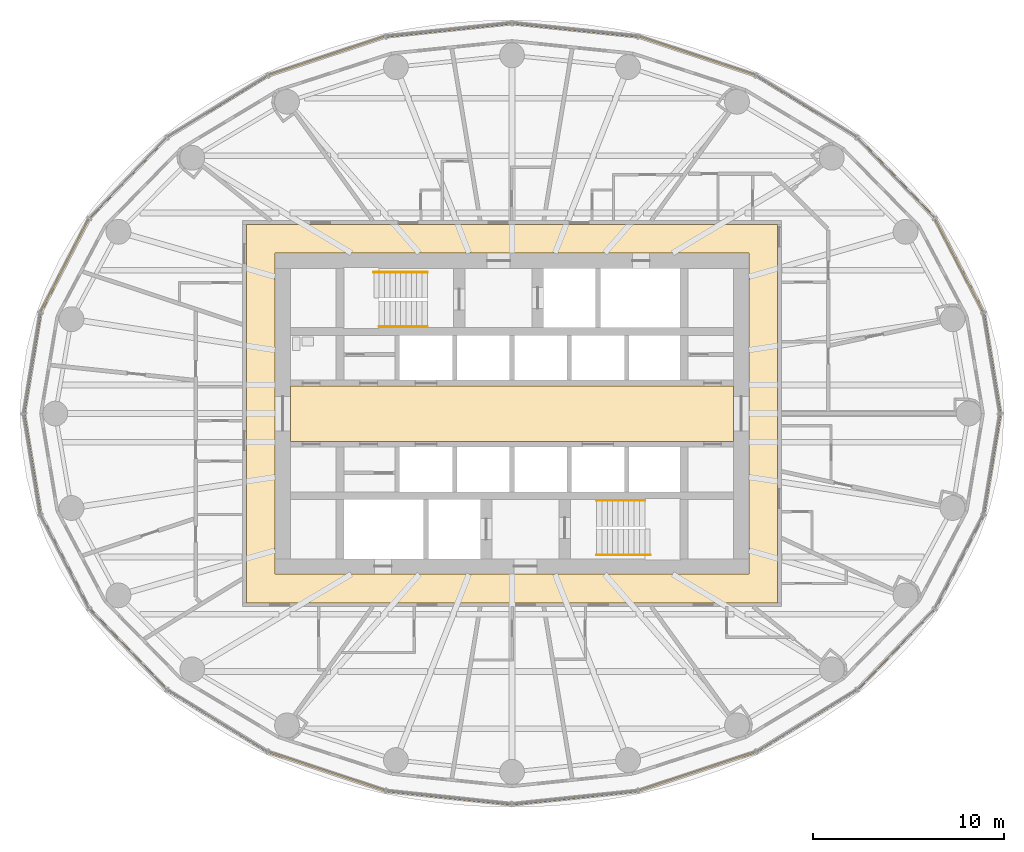
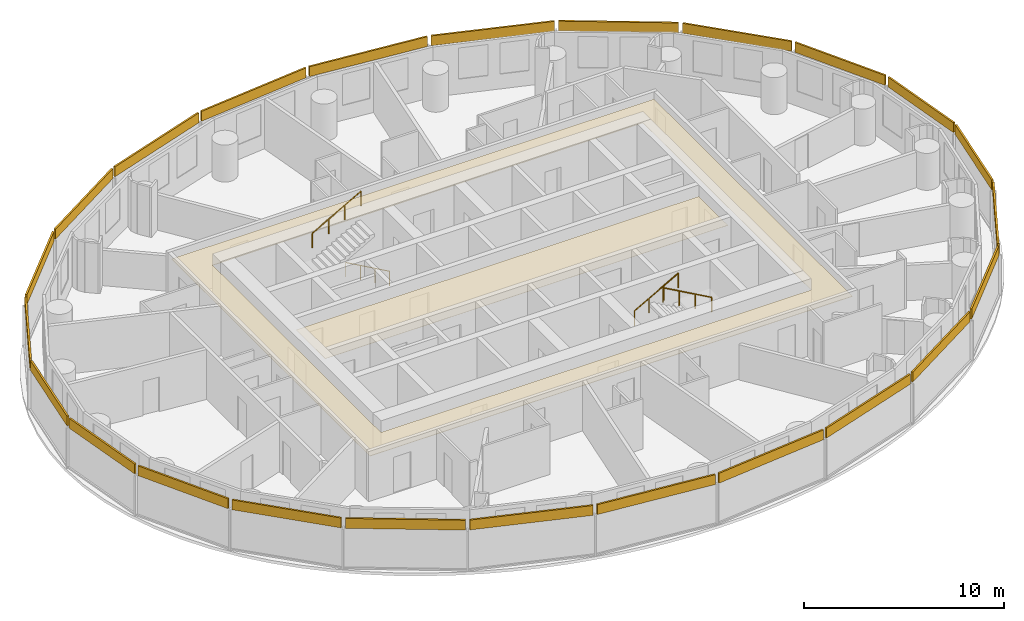
# One storey, part 13 of 14: 24 shading devices, 4 railings, 2 coverings.
"""IFC4 building model written with IfcOpenShell, lengths in metres."""

from ifc_helpers import new_model, si_unit, direction, frame, origin, origin_2d, place, context, subcontext, project, spatial, polyline, rectangle, circle, outline, extrude, material, layer, layer_set, type_object, element, save


model = new_model("IFC4")

# Units and contexts
model_context = context("Model", 3, precision=1e-05, world=origin(), true_north=direction((0.0, 1.0)))
body_context = subcontext(model_context, "Body", "Model", "MODEL_VIEW")
ifc_project = project(units=[si_unit("LENGTHUNIT", "METRE"), si_unit("AREAUNIT", "SQUARE_METRE"), si_unit("VOLUMEUNIT", "CUBIC_METRE"), si_unit("PLANEANGLEUNIT", "RADIAN"), si_unit("MASSUNIT", "GRAM", prefix="KILO")], contexts=[model_context])

# Site, building, storey
site_placement = place(None, origin())
site = spatial("IfcSite", under=ifc_project, at=site_placement, CompositionType="ELEMENT")
building_placement = place(site_placement, origin())
building = spatial("IfcBuilding", under=site, at=building_placement, Name="Hankou Lantern Tower", CompositionType="ELEMENT")
storey_placement = place(building_placement, frame((0.0, 0.0, 135.300048828125)))
storey = spatial("IfcBuildingStorey", under=building, at=storey_placement, Name="L35", CompositionType="ELEMENT", Elevation=135.300048828125)

# Coverings
ifc_material_1 = material(Name="Black painted aluminium linear ceiling panels", Category="aluminium")
ifc_layer_1 = layer(ifc_material_1, 0.02490234375)
ifc_layer_set_1 = layer_set([ifc_layer_1], Name="Black painted aluminium linear ceiling panels")
covering_type_1 = type_object("IfcCoveringType", Name="CL1 CORRIDOR CEILING 25", PredefinedType="CEILING", material=ifc_layer_set_1)
covering_1_placement = place(storey_placement, frame((0.0, 0.0, 2.574951171875)))
element("IfcCovering", 1, at=covering_1_placement, inside=storey, type_object=covering_type_1, Name="Corridor ceiling L35", PredefinedType="CEILING", context=body_context, shape_type="SweptSolid", body=[
    extrude(outline(polyline([(-13.89990234375, -9.89990234375), (13.89990234375, -9.89990234375), (13.89990234375, 9.89990234375), (-13.89990234375, 9.89990234375), (-13.89990234375, -9.89990234375)]), holes=[polyline([(-12.39990234375, 8.39990234375), (12.39990234375, 8.39990234375), (12.39990234375, -8.39990234375), (-12.39990234375, -8.39990234375), (-12.39990234375, 8.39990234375)])]), origin(), (0.0, 0.0, 1.0), 0.02490234375),
])
ifc_material_2 = material(Name="Perforated black aluminium acoustic tray ceiling", Category="aluminium")
ifc_layer_2 = layer(ifc_material_2, 0.014892578125)
ifc_layer_set_2 = layer_set([ifc_layer_2], Name="Perforated black aluminium acoustic tray ceiling")
covering_type_2 = type_object("IfcCoveringType", Name="CL2 LIFT LOBBY CEILING 15", PredefinedType="CEILING", material=ifc_layer_set_2)
covering_2_placement = place(storey_placement, frame((0.0, 0.0, 2.5849609375)))
element("IfcCovering", 2, at=covering_2_placement, inside=storey, type_object=covering_type_2, Name="Lift lobby ceiling L35", PredefinedType="CEILING", context=body_context, shape_type="SweptSolid", body=[
    extrude(outline(polyline([(-11.60009765625, -1.449951171875), (11.60009765625, -1.449951171875), (11.60009765625, 1.449951171875), (-11.60009765625, 1.449951171875), (-11.60009765625, -1.449951171875)])), origin(), (0.0, 0.0, 1.0), 0.014892578125),
])

# Railings
ifc_material_3 = material(Name="Steel handrail", Category="steel")
railing_type = type_object("IfcRailingType", Name="HR1 STAIR HANDRAIL", PredefinedType="HANDRAIL", material=ifc_material_3)
railing_1_placement = place(storey_placement, frame((-4.429931640625, 4.550048828125, 0.89990234375)))
element("IfcRailing", 3, at=railing_1_placement, inside=storey, type_object=railing_type, Name="Handrail stair STA L35 flight 1", PredefinedType="HANDRAIL", context=body_context, shape_type="SweptSolid", body=[
    extrude(circle(Radius=0.02392578125, at=origin_2d()), frame((0.0, 0.0, 0.8759765625), z_axis=(-0.872048945198, 0.0, 0.489418672692), x_axis=(0.0, -1.0, 0.0)), (0.0, 0.0, 1.0), 2.8896484375),
    extrude(circle(Radius=0.02099609375, at=origin_2d()), origin(), (0.0, 0.0, 1.0), 0.851806640625),
    extrude(circle(Radius=0.02099609375, at=origin_2d()), frame((-0.840087890625, 0.0, 0.471435546875)), (0.0, 0.0, 1.0), 0.851806640625),
    extrude(circle(Radius=0.02099609375, at=origin_2d()), frame((-1.679931640625, 0.0, 0.94287109375)), (0.0, 0.0, 1.0), 0.851806640625),
    extrude(circle(Radius=0.02099609375, at=origin_2d()), frame((-2.52001953125, 0.0, 1.414306640625)), (0.0, 0.0, 1.0), 0.851806640625),
])
railing_2_placement = place(storey_placement, frame((-7.22998046875, 7.39990234375, 2.471435546875)))
element("IfcRailing", 4, at=railing_2_placement, inside=storey, type_object=railing_type, Name="Handrail stair STA L35 flight 2", PredefinedType="HANDRAIL", context=body_context, shape_type="SweptSolid", body=[
    extrude(circle(Radius=0.02392578125, at=origin_2d()), frame((0.0, 0.0, 0.8759765625), z_axis=(0.872072602893, 0.0, 0.489376516891), x_axis=(0.0, 1.0, 0.0)), (0.0, 0.0, 1.0), 3.210693359375),
    extrude(circle(Radius=0.02099609375, at=origin_2d()), origin(), (0.0, 0.0, 1.0), 0.851806640625),
    extrude(circle(Radius=0.02099609375, at=origin_2d()), frame((0.933349609375, 0.0, 0.523681640625)), (0.0, 0.0, 1.0), 0.851806640625),
    extrude(circle(Radius=0.02099609375, at=origin_2d()), frame((1.86669921875, 0.0, 1.047607421875)), (0.0, 0.0, 1.0), 0.851806640625),
    extrude(circle(Radius=0.02099609375, at=origin_2d()), frame((2.800048828125, 0.0, 1.5712890625)), (0.0, 0.0, 1.0), 0.851806640625),
])
railing_3_placement = place(storey_placement, frame((4.429931640625, -4.550048828125, 0.89990234375)))
element("IfcRailing", 5, at=railing_3_placement, inside=storey, type_object=railing_type, Name="Handrail stair STB L35 flight 1", PredefinedType="HANDRAIL", context=body_context, shape_type="SweptSolid", body=[
    extrude(circle(Radius=0.02392578125, at=origin_2d()), frame((0.0, 0.0, 0.8759765625), z_axis=(0.872048945198, 0.0, 0.489418672692), x_axis=(0.0, 1.0, 0.0)), (0.0, 0.0, 1.0), 2.8896484375),
    extrude(circle(Radius=0.02099609375, at=origin_2d()), origin(), (0.0, 0.0, 1.0), 0.851806640625),
    extrude(circle(Radius=0.02099609375, at=origin_2d()), frame((0.840087890625, 0.0, 0.471435546875)), (0.0, 0.0, 1.0), 0.851806640625),
    extrude(circle(Radius=0.02099609375, at=origin_2d()), frame((1.679931640625, 0.0, 0.94287109375)), (0.0, 0.0, 1.0), 0.851806640625),
    extrude(circle(Radius=0.02099609375, at=origin_2d()), frame((2.52001953125, 0.0, 1.414306640625)), (0.0, 0.0, 1.0), 0.851806640625),
])
railing_4_placement = place(storey_placement, frame((7.22998046875, -7.39990234375, 2.471435546875)))
element("IfcRailing", 6, at=railing_4_placement, inside=storey, type_object=railing_type, Name="Handrail stair STB L35 flight 2", PredefinedType="HANDRAIL", context=body_context, shape_type="SweptSolid", body=[
    extrude(circle(Radius=0.02392578125, at=origin_2d()), frame((0.0, 0.0, 0.8759765625), z_axis=(-0.872072602893, 0.0, 0.489376516891), x_axis=(0.0, -1.0, 0.0)), (0.0, 0.0, 1.0), 3.210693359375),
    extrude(circle(Radius=0.02099609375, at=origin_2d()), origin(), (0.0, 0.0, 1.0), 0.851806640625),
    extrude(circle(Radius=0.02099609375, at=origin_2d()), frame((-0.933349609375, 0.0, 0.523681640625)), (0.0, 0.0, 1.0), 0.851806640625),
    extrude(circle(Radius=0.02099609375, at=origin_2d()), frame((-1.86669921875, 0.0, 1.047607421875)), (0.0, 0.0, 1.0), 0.851806640625),
    extrude(circle(Radius=0.02099609375, at=origin_2d()), frame((-2.800048828125, 0.0, 1.5712890625)), (0.0, 0.0, 1.0), 0.851806640625),
])

# Shading devices
ifc_material_4 = material(Name="Aluminium, black anodised", Category="aluminium")
ifc_layer_3 = layer(ifc_material_4, 0.10009765625)
ifc_layer_set_3 = layer_set([ifc_layer_3], Name="Aluminium, black anodised")
shading_device_type = type_object("IfcShadingDeviceType", Name="LV1 LOUVRE PANEL", PredefinedType="USERDEFINED", material=ifc_layer_set_3)
shading_device_1_placement = place(storey_placement, frame((25.11474609375, 2.64501953125, 2.449951171875), z_axis=(0.0, 0.0, 1.0), x_axis=(-0.162381515188, 0.986728049427, 0.0)))
element("IfcShadingDevice", 7, at=shading_device_1_placement, inside=storey, type_object=shading_device_type, Name="Louvre R01 L35", ObjectType="LOUVRE", PredefinedType="USERDEFINED", context=body_context, shape_type="SweptSolid", body=[
    extrude(rectangle(XDim=5.1513671875, YDim=0.10009765625, at=origin_2d()), origin(), (0.0, 0.0, 1.0), 0.60009765625),
])
shading_device_2_placement = place(storey_placement, frame((23.403076171875, 7.755126953125, 2.449951171875), z_axis=(0.0, 0.0, 1.0), x_axis=(-0.459791091957, 0.888027112062, 0.0)))
element("IfcShadingDevice", 8, at=shading_device_2_placement, inside=storey, type_object=shading_device_type, Name="Louvre R02 L35", ObjectType="LOUVRE", PredefinedType="USERDEFINED", context=body_context, shape_type="SweptSolid", body=[
    extrude(rectangle(XDim=5.34130859375, YDim=0.10009765625, at=origin_2d()), origin(), (0.0, 0.0, 1.0), 0.60009765625),
])
shading_device_3_placement = place(storey_placement, frame((20.0966796875, 12.336669921875, 2.449951171875), z_axis=(0.0, 0.0, 1.0), x_axis=(-0.692215809936, 0.721690565599, 0.0)))
element("IfcShadingDevice", 9, at=shading_device_3_placement, inside=storey, type_object=shading_device_type, Name="Louvre R03 L35", ObjectType="LOUVRE", PredefinedType="USERDEFINED", context=body_context, shape_type="SweptSolid", body=[
    extrude(rectangle(XDim=5.65576171875, YDim=0.10009765625, at=origin_2d()), origin(), (0.0, 0.0, 1.0), 0.60009765625),
])
shading_device_4_placement = place(storey_placement, frame((15.4208984375, 16.077392578125, 2.449951171875), z_axis=(0.0, 0.0, 1.0), x_axis=(-0.852237151549, 0.523155653242, 0.0)))
element("IfcShadingDevice", 10, at=shading_device_4_placement, inside=storey, type_object=shading_device_type, Name="Louvre R04 L35", ObjectType="LOUVRE", PredefinedType="USERDEFINED", context=body_context, shape_type="SweptSolid", body=[
    extrude(rectangle(XDim=5.9990234375, YDim=0.10009765625, at=origin_2d()), origin(), (0.0, 0.0, 1.0), 0.60009765625),
])
shading_device_5_placement = place(storey_placement, frame((9.69384765625, 18.72265625, 2.449951171875), z_axis=(0.0, 0.0, 1.0), x_axis=(-0.949240677293, 0.31455068999, 0.0)))
element("IfcShadingDevice", 11, at=shading_device_5_placement, inside=storey, type_object=shading_device_type, Name="Louvre R05 L35", ObjectType="LOUVRE", PredefinedType="USERDEFINED", context=body_context, shape_type="SweptSolid", body=[
    extrude(rectangle(XDim=6.28173828125, YDim=0.10009765625, at=origin_2d()), origin(), (0.0, 0.0, 1.0), 0.60009765625),
])
for number, where, z_axis, x_axis, name in (
    (12, (3.306396484375, 20.091796875, 2.449951171875), (0.0, 0.0, 1.0), (-0.994499359107, 0.104742659579, 0.0), "Louvre R06 L35"),
    (13, (-3.306396484375, 20.091796875, 2.449951171875), (0.0, 0.0, 1.0), (-0.994499359107, -0.104742659579, 0.0), "Louvre R07 L35"),
):
    element("IfcShadingDevice", number, at=place(storey_placement, frame(where, z_axis=z_axis, x_axis=x_axis)), inside=storey, type_object=shading_device_type, Name=name, ObjectType="LOUVRE", PredefinedType="USERDEFINED", context=body_context, shape_type="SweptSolid", body=[
        extrude(rectangle(XDim=6.439453125, YDim=0.10009765625, at=origin_2d()), origin(), (0.0, 0.0, 1.0), 0.60009765625),
    ])
shading_device_6_placement = place(storey_placement, frame((-9.69384765625, 18.72265625, 2.449951171875), z_axis=(0.0, 0.0, 1.0), x_axis=(-0.949240677293, -0.31455068999, 0.0)))
element("IfcShadingDevice", 14, at=shading_device_6_placement, inside=storey, type_object=shading_device_type, Name="Louvre R08 L35", ObjectType="LOUVRE", PredefinedType="USERDEFINED", context=body_context, shape_type="SweptSolid", body=[
    extrude(rectangle(XDim=6.28173828125, YDim=0.10009765625, at=origin_2d()), origin(), (0.0, 0.0, 1.0), 0.60009765625),
])
shading_device_7_placement = place(storey_placement, frame((-15.4208984375, 16.077392578125, 2.449951171875), z_axis=(0.0, 0.0, 1.0), x_axis=(-0.852237151549, -0.523155653242, 0.0)))
element("IfcShadingDevice", 15, at=shading_device_7_placement, inside=storey, type_object=shading_device_type, Name="Louvre R09 L35", ObjectType="LOUVRE", PredefinedType="USERDEFINED", context=body_context, shape_type="SweptSolid", body=[
    extrude(rectangle(XDim=5.9990234375, YDim=0.10009765625, at=origin_2d()), origin(), (0.0, 0.0, 1.0), 0.60009765625),
])
shading_device_8_placement = place(storey_placement, frame((-20.0966796875, 12.336669921875, 2.449951171875), z_axis=(0.0, 0.0, 1.0), x_axis=(-0.692215809936, -0.721690565599, 0.0)))
element("IfcShadingDevice", 16, at=shading_device_8_placement, inside=storey, type_object=shading_device_type, Name="Louvre R10 L35", ObjectType="LOUVRE", PredefinedType="USERDEFINED", context=body_context, shape_type="SweptSolid", body=[
    extrude(rectangle(XDim=5.65576171875, YDim=0.10009765625, at=origin_2d()), origin(), (0.0, 0.0, 1.0), 0.60009765625),
])
shading_device_9_placement = place(storey_placement, frame((-23.403076171875, 7.755126953125, 2.449951171875), z_axis=(0.0, 0.0, 1.0), x_axis=(-0.459791091957, -0.888027112062, 0.0)))
element("IfcShadingDevice", 17, at=shading_device_9_placement, inside=storey, type_object=shading_device_type, Name="Louvre R11 L35", ObjectType="LOUVRE", PredefinedType="USERDEFINED", context=body_context, shape_type="SweptSolid", body=[
    extrude(rectangle(XDim=5.34130859375, YDim=0.10009765625, at=origin_2d()), origin(), (0.0, 0.0, 1.0), 0.60009765625),
])
for number, where, z_axis, x_axis, name in (
    (18, (-25.11474609375, 2.64501953125, 2.449951171875), (0.0, 0.0, 1.0), (-0.162381515188, -0.986728049427, 0.0), "Louvre R12 L35"),
    (19, (-25.11474609375, -2.64501953125, 2.449951171875), (0.0, 0.0, 1.0), (0.162381515188, -0.986728049427, 0.0), "Louvre R13 L35"),
):
    element("IfcShadingDevice", number, at=place(storey_placement, frame(where, z_axis=z_axis, x_axis=x_axis)), inside=storey, type_object=shading_device_type, Name=name, ObjectType="LOUVRE", PredefinedType="USERDEFINED", context=body_context, shape_type="SweptSolid", body=[
        extrude(rectangle(XDim=5.1513671875, YDim=0.10009765625, at=origin_2d()), origin(), (0.0, 0.0, 1.0), 0.60009765625),
    ])
shading_device_10_placement = place(storey_placement, frame((-23.403076171875, -7.755126953125, 2.449951171875), z_axis=(0.0, 0.0, 1.0), x_axis=(0.459791091957, -0.888027112062, 0.0)))
element("IfcShadingDevice", 20, at=shading_device_10_placement, inside=storey, type_object=shading_device_type, Name="Louvre R14 L35", ObjectType="LOUVRE", PredefinedType="USERDEFINED", context=body_context, shape_type="SweptSolid", body=[
    extrude(rectangle(XDim=5.34130859375, YDim=0.10009765625, at=origin_2d()), origin(), (0.0, 0.0, 1.0), 0.60009765625),
])
shading_device_11_placement = place(storey_placement, frame((-20.0966796875, -12.336669921875, 2.449951171875), z_axis=(0.0, 0.0, 1.0), x_axis=(0.692215809936, -0.721690565599, 0.0)))
element("IfcShadingDevice", 21, at=shading_device_11_placement, inside=storey, type_object=shading_device_type, Name="Louvre R15 L35", ObjectType="LOUVRE", PredefinedType="USERDEFINED", context=body_context, shape_type="SweptSolid", body=[
    extrude(rectangle(XDim=5.65576171875, YDim=0.10009765625, at=origin_2d()), origin(), (0.0, 0.0, 1.0), 0.60009765625),
])
shading_device_12_placement = place(storey_placement, frame((-15.4208984375, -16.077392578125, 2.449951171875), z_axis=(0.0, 0.0, 1.0), x_axis=(0.852237151549, -0.523155653242, 0.0)))
element("IfcShadingDevice", 22, at=shading_device_12_placement, inside=storey, type_object=shading_device_type, Name="Louvre R16 L35", ObjectType="LOUVRE", PredefinedType="USERDEFINED", context=body_context, shape_type="SweptSolid", body=[
    extrude(rectangle(XDim=5.9990234375, YDim=0.10009765625, at=origin_2d()), origin(), (0.0, 0.0, 1.0), 0.60009765625),
])
shading_device_13_placement = place(storey_placement, frame((-9.69384765625, -18.72265625, 2.449951171875), z_axis=(0.0, 0.0, 1.0), x_axis=(0.949240677293, -0.31455068999, 0.0)))
element("IfcShadingDevice", 23, at=shading_device_13_placement, inside=storey, type_object=shading_device_type, Name="Louvre R17 L35", ObjectType="LOUVRE", PredefinedType="USERDEFINED", context=body_context, shape_type="SweptSolid", body=[
    extrude(rectangle(XDim=6.28173828125, YDim=0.10009765625, at=origin_2d()), origin(), (0.0, 0.0, 1.0), 0.60009765625),
])
for number, where, z_axis, x_axis, name in (
    (24, (-3.306396484375, -20.091796875, 2.449951171875), (0.0, 0.0, 1.0), (0.994499359107, -0.104742659579, 0.0), "Louvre R18 L35"),
    (25, (3.306396484375, -20.091796875, 2.449951171875), (0.0, 0.0, 1.0), (0.994499359107, 0.104742659579, 0.0), "Louvre R19 L35"),
):
    element("IfcShadingDevice", number, at=place(storey_placement, frame(where, z_axis=z_axis, x_axis=x_axis)), inside=storey, type_object=shading_device_type, Name=name, ObjectType="LOUVRE", PredefinedType="USERDEFINED", context=body_context, shape_type="SweptSolid", body=[
        extrude(rectangle(XDim=6.439453125, YDim=0.10009765625, at=origin_2d()), origin(), (0.0, 0.0, 1.0), 0.60009765625),
    ])
shading_device_14_placement = place(storey_placement, frame((9.69384765625, -18.72265625, 2.449951171875), z_axis=(0.0, 0.0, 1.0), x_axis=(0.949240677293, 0.31455068999, 0.0)))
element("IfcShadingDevice", 26, at=shading_device_14_placement, inside=storey, type_object=shading_device_type, Name="Louvre R20 L35", ObjectType="LOUVRE", PredefinedType="USERDEFINED", context=body_context, shape_type="SweptSolid", body=[
    extrude(rectangle(XDim=6.28173828125, YDim=0.10009765625, at=origin_2d()), origin(), (0.0, 0.0, 1.0), 0.60009765625),
])
shading_device_15_placement = place(storey_placement, frame((15.4208984375, -16.077392578125, 2.449951171875), z_axis=(0.0, 0.0, 1.0), x_axis=(0.852237151549, 0.523155653242, 0.0)))
element("IfcShadingDevice", 27, at=shading_device_15_placement, inside=storey, type_object=shading_device_type, Name="Louvre R21 L35", ObjectType="LOUVRE", PredefinedType="USERDEFINED", context=body_context, shape_type="SweptSolid", body=[
    extrude(rectangle(XDim=5.9990234375, YDim=0.10009765625, at=origin_2d()), origin(), (0.0, 0.0, 1.0), 0.60009765625),
])
shading_device_16_placement = place(storey_placement, frame((20.0966796875, -12.336669921875, 2.449951171875), z_axis=(0.0, 0.0, 1.0), x_axis=(0.692215809936, 0.721690565599, 0.0)))
element("IfcShadingDevice", 28, at=shading_device_16_placement, inside=storey, type_object=shading_device_type, Name="Louvre R22 L35", ObjectType="LOUVRE", PredefinedType="USERDEFINED", context=body_context, shape_type="SweptSolid", body=[
    extrude(rectangle(XDim=5.65576171875, YDim=0.10009765625, at=origin_2d()), origin(), (0.0, 0.0, 1.0), 0.60009765625),
])
shading_device_17_placement = place(storey_placement, frame((23.403076171875, -7.755126953125, 2.449951171875), z_axis=(0.0, 0.0, 1.0), x_axis=(0.459791091957, 0.888027112062, 0.0)))
element("IfcShadingDevice", 29, at=shading_device_17_placement, inside=storey, type_object=shading_device_type, Name="Louvre R23 L35", ObjectType="LOUVRE", PredefinedType="USERDEFINED", context=body_context, shape_type="SweptSolid", body=[
    extrude(rectangle(XDim=5.34130859375, YDim=0.10009765625, at=origin_2d()), origin(), (0.0, 0.0, 1.0), 0.60009765625),
])
shading_device_18_placement = place(storey_placement, frame((25.11474609375, -2.64501953125, 2.449951171875), z_axis=(0.0, 0.0, 1.0), x_axis=(0.162381515188, 0.986728049427, 0.0)))
element("IfcShadingDevice", 30, at=shading_device_18_placement, inside=storey, type_object=shading_device_type, Name="Louvre R24 L35", ObjectType="LOUVRE", PredefinedType="USERDEFINED", context=body_context, shape_type="SweptSolid", body=[
    extrude(rectangle(XDim=5.1513671875, YDim=0.10009765625, at=origin_2d()), origin(), (0.0, 0.0, 1.0), 0.60009765625),
])

save(model, "model.ifc")
